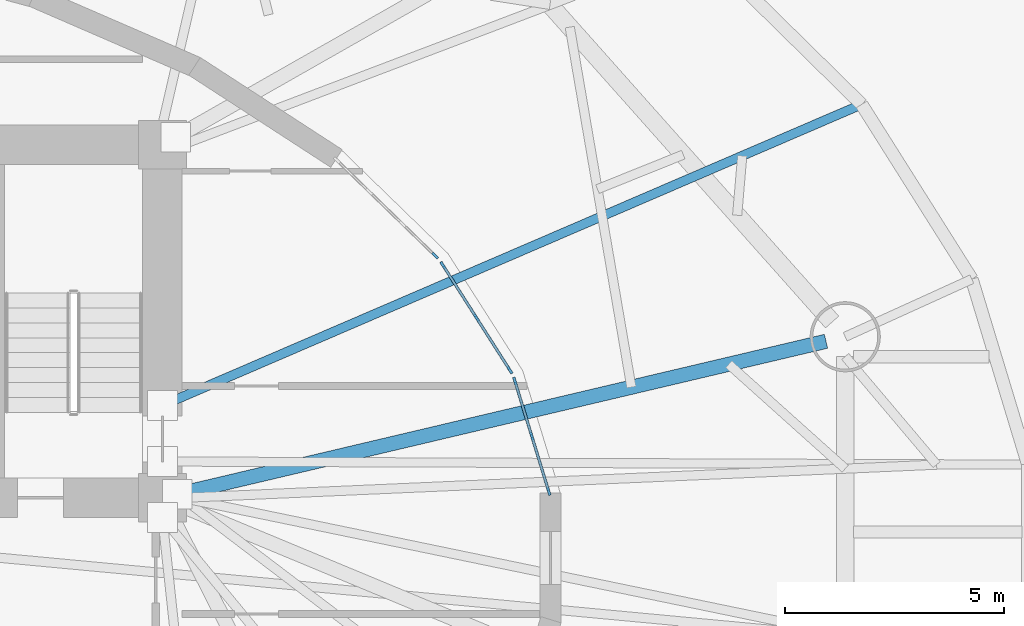
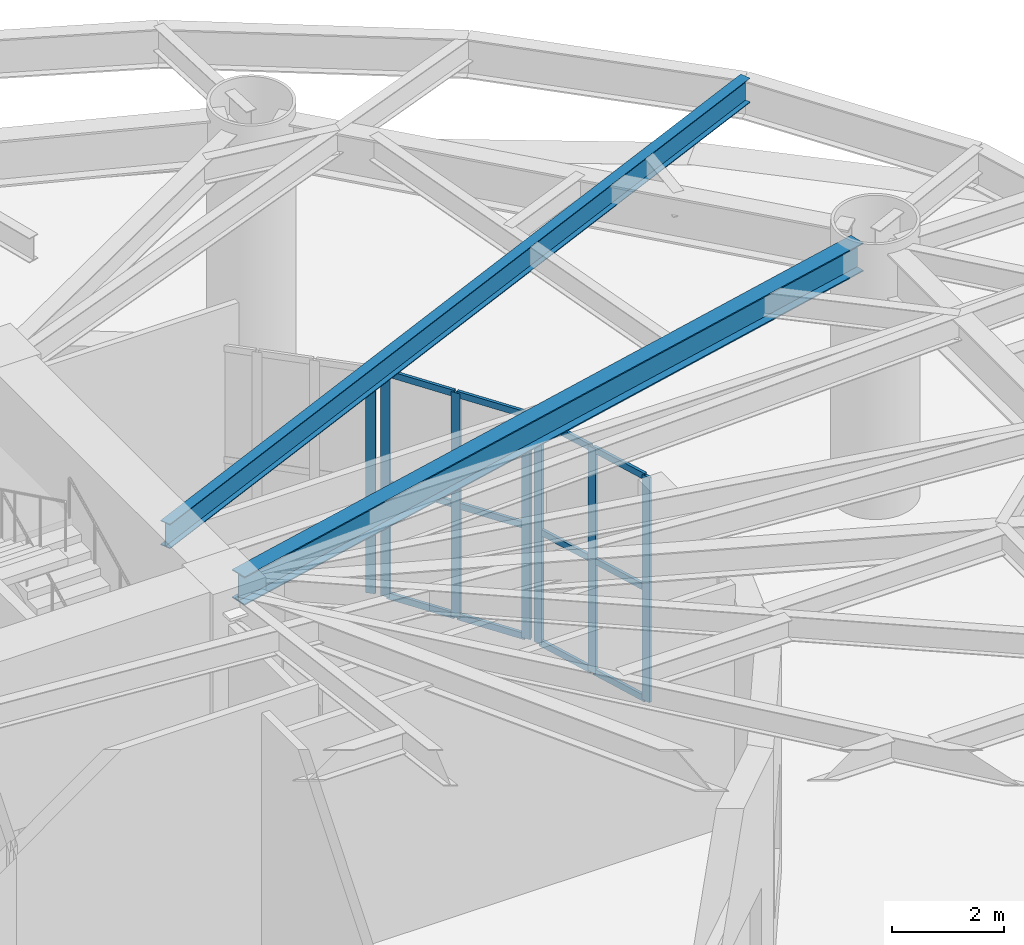
# One storey, part 7 of 21: 19 members, 2 beams, 3 elements without a shape of their own.
"""IFC4 building model written with IfcOpenShell, lengths in metres."""

import ifcopenshell
import ifcopenshell.guid

model = None  # the IFC model being written
_history = None  # IfcOwnerHistory: only IFC2X3 demands one
_inside = {}  # id of a spatial element -> (the spatial element, [elements in it])
_under = {}  # id of a project, library or spatial element -> (it, [spatial elements below it])
_declared = {}  # id of a project -> (the project, [libraries it declares])
_typed = {}  # id of a type object -> (the type object, [elements of that type])
_made_of = {}  # id of a material, layer set ... -> (it, [elements and type objects made of it])


def new_model(schema):
    """Start an empty IFC model of exactly this schema.

    Asked for "IFC4X3", IfcOpenShell would pick the latest addendum, in which some entities
    have other attributes; the version numbers below select the first issue.
    IFC2X3 requires an IfcOwnerHistory on every rooted entity: one is made here for all.
    """
    global model, _history
    if schema == "IFC4X3":
        model = ifcopenshell.file(schema_version=(4, 3, 0, 0))
    else:
        model = ifcopenshell.file(schema=schema)
    _inside.clear()
    _under.clear()
    _declared.clear()
    _typed.clear()
    _made_of.clear()
    _history = None
    if model.schema == "IFC2X3":
        org = make("IfcOrganization", Name="unknown")
        user = make(
            "IfcPersonAndOrganization",
            ThePerson=make("IfcPerson", FamilyName="unknown"),
            TheOrganization=org,
        )
        app = make(
            "IfcApplication",
            ApplicationDeveloper=org,
            Version="unknown",
            ApplicationFullName="unknown",
            ApplicationIdentifier="unknown",
        )
        _history = make(
            "IfcOwnerHistory",
            OwningUser=user,
            OwningApplication=app,
            ChangeAction="ADDED",
            CreationDate=0,
        )
    return model


def make(cls, **values):
    """One entity of the class cls with the attributes given. An attribute that is None is left unset."""
    return model.create_entity(
        cls, **{name: value for name, value in values.items() if value is not None}
    )


def rooted(cls, **values):
    """An entity with a GlobalId (a new one), such as an element, a storey or a relation."""
    return make(cls, GlobalId=ifcopenshell.guid.new(), OwnerHistory=_history, **values)


def si_unit(unit_type, name, prefix=None):
    """IfcSIUnit, for example si_unit("LENGTHUNIT", "METRE", prefix="MILLI")."""
    return make("IfcSIUnit", UnitType=unit_type, Prefix=prefix, Name=name)


def assignment(units):
    """IfcUnitAssignment: the units of a project."""
    return None if units is None else make("IfcUnitAssignment", Units=units)


def point(xyz):
    """IfcCartesianPoint."""
    return None if xyz is None else make("IfcCartesianPoint", Coordinates=xyz)


def direction(xyz):
    """IfcDirection."""
    return None if xyz is None else make("IfcDirection", DirectionRatios=xyz)


def frame(location, z_axis=None, x_axis=None):
    """IfcAxis2Placement3D, a coordinate frame: its origin and axes. An axis left out is left unset."""
    return make(
        "IfcAxis2Placement3D",
        Location=point(location),
        Axis=direction(z_axis),
        RefDirection=direction(x_axis),
    )


def frame_2d(location, x_axis=None):
    """IfcAxis2Placement2D, a coordinate frame in the plane: its origin and x axis."""
    return make(
        "IfcAxis2Placement2D", Location=point(location), RefDirection=direction(x_axis)
    )


def origin():
    """The frame at (0, 0, 0) with its axes left unset."""
    return frame((0.0, 0.0, 0.0))


def origin_2d():
    """The frame at (0, 0) in the plane with its x axis left unset."""
    return frame_2d((0.0, 0.0))


def place(relative_to, where):
    """IfcLocalPlacement: puts the frame where relative to a parent placement (None: the world)."""
    return make(
        "IfcLocalPlacement", PlacementRelTo=relative_to, RelativePlacement=where
    )


def context(
    kind, dimensions, precision=None, world=None, true_north=None, identifier=None
):
    """IfcGeometricRepresentationContext, for example the 3D "Model" context."""
    return make(
        "IfcGeometricRepresentationContext",
        ContextIdentifier=identifier,
        ContextType=kind,
        CoordinateSpaceDimension=dimensions,
        Precision=precision,
        WorldCoordinateSystem=world,
        TrueNorth=true_north,
    )


def subcontext(parent, identifier, kind, view, scale=None):
    """IfcGeometricRepresentationSubContext, for example "Body" below "Model"."""
    return make(
        "IfcGeometricRepresentationSubContext",
        ContextIdentifier=identifier,
        ContextType=kind,
        ParentContext=parent,
        TargetScale=scale,
        TargetView=view,
    )


def project(units=None, contexts=None):
    """IfcProject with its units and contexts."""
    return rooted(
        "IfcProject",
        Name="project",
        RepresentationContexts=contexts,
        UnitsInContext=assignment(units),
    )


def spatial(cls, under=None, at=None, **own):
    """A site, building, storey or space (cls), placed at a placement, below another one or the project."""
    s = rooted(cls, ObjectPlacement=at, **own)
    if under is not None:
        _under.setdefault(under.id(), (under, []))[1].append(s)
    return s


def profile(cls, at=None, kind="AREA", **sizes):
    """A parametric profile (cls). Its sizes go by their IFC names, for example OverallWidth=200.0."""
    return make(cls, ProfileType=kind, Position=at, **sizes)


def rectangle(**sizes):
    """IfcRectangleProfileDef."""
    return profile("IfcRectangleProfileDef", **sizes)


def i_section(**sizes):
    """IfcIShapeProfileDef."""
    return profile("IfcIShapeProfileDef", **sizes)


def extrude(swept, where, along, depth):
    """IfcExtrudedAreaSolid: the profile swept, set in the frame where, extruded along a direction by depth."""
    return make(
        "IfcExtrudedAreaSolid",
        SweptArea=swept,
        Position=where,
        ExtrudedDirection=direction(along),
        Depth=depth,
    )


def shape(context_of_items, identifier, shape_type, items):
    """IfcShapeRepresentation: the items that make up one representation, for example the "Body"."""
    return make(
        "IfcShapeRepresentation",
        ContextOfItems=context_of_items,
        RepresentationIdentifier=identifier,
        RepresentationType=shape_type,
        Items=items,
    )


def material(Name=None, Category=None):
    """IfcMaterial."""
    return make("IfcMaterial", Name=Name, Category=Category)


def layer(
    of_material, thickness, ventilated=None, Name=None, Category=None, Priority=None
):
    """IfcMaterialLayer: one layer of a wall or slab, of a material (None: an air gap)."""
    return make(
        "IfcMaterialLayer",
        Material=of_material,
        LayerThickness=thickness,
        IsVentilated=ventilated,
        Name=Name,
        Category=Category,
        Priority=Priority,
    )


def layer_set(layers, Name=None):
    """IfcMaterialLayerSet."""
    return make("IfcMaterialLayerSet", MaterialLayers=layers, LayerSetName=Name)


def material_profile(
    of_material, cross_section, Name=None, Category=None, Priority=None
):
    """IfcMaterialProfile: a cross section and its material."""
    return make(
        "IfcMaterialProfile",
        Name=Name,
        Material=of_material,
        Profile=cross_section,
        Priority=Priority,
        Category=Category,
    )


def profile_set(profiles, Name=None, composite=None):
    """IfcMaterialProfileSet."""
    return make(
        "IfcMaterialProfileSet",
        Name=Name,
        MaterialProfiles=profiles,
        CompositeProfile=composite,
    )


def made_of(thing, what):
    """Note that an element or type object is made of a material, layer set ...; save() writes the relation."""
    if what is not None:
        _made_of.setdefault(what.id(), (what, []))[1].append(thing)
    return thing


def type_object(cls, material=None, **own):
    """A type object (cls), such as IfcWallType, which elements share."""
    return made_of(rooted(cls, **own), material)


def element(
    cls,
    number,
    at=None,
    inside=None,
    cuts=None,
    type_object=None,
    material=None,
    context=None,
    identifier="Body",
    shape_type=None,
    held_by="IfcProductDefinitionShape",
    body=None,
    shapes=None,
    **own,
):
    """One element of the class cls, such as IfcWall. Its Tag is "e" and its number.

    at: its placement. inside: the storey or other place that contains it. cuts: it is an
    opening in that element (IfcRelVoidsElement). A single representation is given by context,
    identifier, shape_type and body (its items); several are given by shapes. held_by: the class
    of the entity that holds the representations. save() writes the other relations.
    """
    e = rooted(cls, Tag="e%d" % number, ObjectPlacement=at, **own)
    if body is not None:
        shapes = [shape(context, identifier, shape_type, body)]
    if shapes is not None:
        e.Representation = make(held_by, Representations=shapes)
    if inside is not None:
        _inside.setdefault(inside.id(), (inside, []))[1].append(e)
    if cuts is not None:
        rooted(
            "IfcRelVoidsElement", RelatingBuildingElement=cuts, RelatedOpeningElement=e
        )
    if type_object is not None:
        _typed.setdefault(type_object.id(), (type_object, []))[1].append(e)
    return made_of(e, material)


def aggregate(whole, parts):
    """IfcRelAggregates: a whole, such as a stair, and the parts it consists of."""
    return rooted("IfcRelAggregates", RelatingObject=whole, RelatedObjects=parts)


def save(model, path):
    """Write the relations noted so far, then the file.

    IfcRelAggregates (storeys below a building ...), IfcRelContainedInSpatialStructure (elements
    in a storey), IfcRelDefinesByType, IfcRelAssociatesMaterial and IfcRelDeclares: one each for
    every whole, place, type object, material and project.
    """
    for whole, parts in _under.values():
        aggregate(whole, parts)
    for where, things in _inside.values():
        rooted(
            "IfcRelContainedInSpatialStructure",
            RelatedElements=things,
            RelatingStructure=where,
        )
    for kind, things in _typed.values():
        rooted("IfcRelDefinesByType", RelatedObjects=things, RelatingType=kind)
    for what, things in _made_of.values():
        rooted("IfcRelAssociatesMaterial", RelatedObjects=things, RelatingMaterial=what)
    for by, libraries in _declared.values():
        rooted("IfcRelDeclares", RelatingContext=by, RelatedDefinitions=libraries)
    model.write(path)


model = new_model("IFC4")

# Units and contexts
model_context = context("Model", 3, precision=1e-05, world=origin(), true_north=direction((0.0, 1.0)))
body_context = subcontext(model_context, "Body", "Model", "MODEL_VIEW")
ifc_project = project(units=[si_unit("LENGTHUNIT", "METRE"), si_unit("AREAUNIT", "SQUARE_METRE"), si_unit("VOLUMEUNIT", "CUBIC_METRE"), si_unit("PLANEANGLEUNIT", "RADIAN"), si_unit("MASSUNIT", "GRAM", prefix="KILO")], contexts=[model_context])

# Site, building, storey
site_placement = place(None, origin())
site = spatial("IfcSite", under=ifc_project, at=site_placement, CompositionType="ELEMENT")
building_placement = place(site_placement, origin())
building = spatial("IfcBuilding", under=site, at=building_placement, Name="Keldmark Tower", CompositionType="ELEMENT")
storey_placement = place(building_placement, origin())
storey = spatial("IfcBuildingStorey", under=building, at=storey_placement, Name="L00", CompositionType="ELEMENT", Elevation=0.0)

# Curtain wall, members
ifc_material_1 = material(Name="Unitized Thermally Broken Aluminum and Triple Low-E Glazing", Category="aluminium")
ifc_layer = layer(ifc_material_1, 0.219970703125)
ifc_layer_set = layer_set([ifc_layer], Name="Unitized Thermally Broken Aluminum and Triple Low-E Glazing")
curtain_wall_type = type_object("IfcCurtainWallType", Name="Skyway Entry Glazed Curtain Wall System", PredefinedType="NOTDEFINED", material=ifc_layer_set)
curtain_wall_1_placement = place(storey_placement, origin())
curtain_wall_1 = element("IfcCurtainWall", 1, at=curtain_wall_1_placement, inside=storey, type_object=curtain_wall_type, Name="L00 Skyway Entry Glazed Curtain Wall System CW-L00-01", PredefinedType="NOTDEFINED")
ifc_material_2 = material(Name="Extruded Aluminum Alloy 6063-T6", Category="aluminium")
ifc_material_profile_1 = material_profile(ifc_material_2, rectangle(XDim=0.06005859375, YDim=0.139892578125, at=origin_2d()), Name="CWT60X140")
ifc_profile_set_1 = profile_set([ifc_material_profile_1], Name="Extruded Aluminum Alloy 6063-T6")
member_type_1 = type_object("IfcMemberType", Name="Curtain Wall Horizontal Transom 60x140", PredefinedType="USERDEFINED", material=ifc_profile_set_1)
member_1_placement = place(storey_placement, frame((22.402099609375, 1.57177734375, 0.030029296875), z_axis=(-0.293076415101, 0.956089020391, 0.0), x_axis=(-0.956089020391, -0.293076415101, 0.0)))
member_1 = element("IfcMember", 2, at=member_1_placement, type_object=member_type_1, Name="CW transom 1.1", ObjectType="TRANSOM", PredefinedType="USERDEFINED", context=body_context, shape_type="SweptSolid", body=[
    extrude(rectangle(XDim=0.06005859375, YDim=0.139892578125, at=origin_2d()), origin(), (0.0, 0.0, 1.0), 1.2578125),
])
member_2_placement = place(storey_placement, frame((22.402099609375, 1.57177734375, 2.45458984375), z_axis=(-0.293076415101, 0.956089020391, 0.0), x_axis=(-0.956089020391, -0.293076415101, 0.0)))
member_2 = element("IfcMember", 3, at=member_2_placement, type_object=member_type_1, Name="CW transom 1.2", ObjectType="TRANSOM", PredefinedType="USERDEFINED", context=body_context, shape_type="SweptSolid", body=[
    extrude(rectangle(XDim=0.06005859375, YDim=0.139892578125, at=origin_2d()), origin(), (0.0, 0.0, 1.0), 1.2578125),
])
member_3_placement = place(storey_placement, frame((22.402099609375, 1.57177734375, 4.87890625), z_axis=(-0.293076415101, 0.956089020391, 0.0), x_axis=(-0.956089020391, -0.293076415101, 0.0)))
member_3 = element("IfcMember", 4, at=member_3_placement, type_object=member_type_1, Name="CW transom 1.3", ObjectType="TRANSOM", PredefinedType="USERDEFINED", context=body_context, shape_type="SweptSolid", body=[
    extrude(rectangle(XDim=0.06005859375, YDim=0.139892578125, at=origin_2d()), origin(), (0.0, 0.0, 1.0), 1.2578125),
])
member_4_placement = place(storey_placement, frame((22.015869140625, 2.831787109375, 0.030029296875), z_axis=(-0.293022039218, 0.956105686905, 0.0), x_axis=(-0.956105686905, -0.293022039218, 0.0)))
member_4 = element("IfcMember", 5, at=member_4_placement, type_object=member_type_1, Name="CW transom 2.1", ObjectType="TRANSOM", PredefinedType="USERDEFINED", context=body_context, shape_type="SweptSolid", body=[
    extrude(rectangle(XDim=0.06005859375, YDim=0.139892578125, at=origin_2d()), origin(), (0.0, 0.0, 1.0), 1.258056640625),
])
member_5_placement = place(storey_placement, frame((22.015869140625, 2.831787109375, 2.45458984375), z_axis=(-0.293022039218, 0.956105686905, 0.0), x_axis=(-0.956105686905, -0.293022039218, 0.0)))
member_5 = element("IfcMember", 6, at=member_5_placement, type_object=member_type_1, Name="CW transom 2.2", ObjectType="TRANSOM", PredefinedType="USERDEFINED", context=body_context, shape_type="SweptSolid", body=[
    extrude(rectangle(XDim=0.06005859375, YDim=0.139892578125, at=origin_2d()), origin(), (0.0, 0.0, 1.0), 1.258056640625),
])
member_6_placement = place(storey_placement, frame((22.015869140625, 2.831787109375, 4.87890625), z_axis=(-0.293022039218, 0.956105686905, 0.0), x_axis=(-0.956105686905, -0.293022039218, 0.0)))
member_6 = element("IfcMember", 7, at=member_6_placement, type_object=member_type_1, Name="CW transom 2.3", ObjectType="TRANSOM", PredefinedType="USERDEFINED", context=body_context, shape_type="SweptSolid", body=[
    extrude(rectangle(XDim=0.06005859375, YDim=0.139892578125, at=origin_2d()), origin(), (0.0, 0.0, 1.0), 1.258056640625),
])

curtain_wall_2_placement = place(storey_placement, origin())
curtain_wall_2 = element("IfcCurtainWall", 8, at=curtain_wall_2_placement, inside=storey, type_object=curtain_wall_type, Name="L00 Skyway Entry Glazed Curtain Wall System CW-L00-02", PredefinedType="NOTDEFINED")
member_7_placement = place(storey_placement, frame((21.50830078125, 4.335693359375, 0.030029296875), z_axis=(-0.537850893391, 0.843039985101, 0.0), x_axis=(-0.843039985101, -0.537850893391, 0.0)))
member_7 = element("IfcMember", 9, at=member_7_placement, type_object=member_type_1, Name="CW transom 1.1", ObjectType="TRANSOM", PredefinedType="USERDEFINED", context=body_context, shape_type="SweptSolid", body=[
    extrude(rectangle(XDim=0.06005859375, YDim=0.139892578125, at=origin_2d()), origin(), (0.0, 0.0, 1.0), 1.35986328125),
])
member_8_placement = place(storey_placement, frame((21.50830078125, 4.335693359375, 2.45458984375), z_axis=(-0.537850893391, 0.843039985101, 0.0), x_axis=(-0.843039985101, -0.537850893391, 0.0)))
member_8 = element("IfcMember", 10, at=member_8_placement, type_object=member_type_1, Name="CW transom 1.2", ObjectType="TRANSOM", PredefinedType="USERDEFINED", context=body_context, shape_type="SweptSolid", body=[
    extrude(rectangle(XDim=0.06005859375, YDim=0.139892578125, at=origin_2d()), origin(), (0.0, 0.0, 1.0), 1.35986328125),
])
member_9_placement = place(storey_placement, frame((21.50830078125, 4.335693359375, 4.87890625), z_axis=(-0.537850893391, 0.843039985101, 0.0), x_axis=(-0.843039985101, -0.537850893391, 0.0)))
member_9 = element("IfcMember", 11, at=member_9_placement, type_object=member_type_1, Name="CW transom 1.3", ObjectType="TRANSOM", PredefinedType="USERDEFINED", context=body_context, shape_type="SweptSolid", body=[
    extrude(rectangle(XDim=0.06005859375, YDim=0.139892578125, at=origin_2d()), origin(), (0.0, 0.0, 1.0), 1.35986328125),
])
member_10_placement = place(storey_placement, frame((20.74462890625, 5.53271484375, 0.030029296875), z_axis=(-0.537932304281, 0.842988040254, 0.0), x_axis=(-0.842988040254, -0.537932304281, 0.0)))
member_10 = element("IfcMember", 12, at=member_10_placement, type_object=member_type_1, Name="CW transom 2.1", ObjectType="TRANSOM", PredefinedType="USERDEFINED", context=body_context, shape_type="SweptSolid", body=[
    extrude(rectangle(XDim=0.06005859375, YDim=0.139892578125, at=origin_2d()), origin(), (0.0, 0.0, 1.0), 1.359619140625),
])
member_11_placement = place(storey_placement, frame((20.74462890625, 5.53271484375, 2.45458984375), z_axis=(-0.537932304281, 0.842988040254, 0.0), x_axis=(-0.842988040254, -0.537932304281, 0.0)))
member_11 = element("IfcMember", 13, at=member_11_placement, type_object=member_type_1, Name="CW transom 2.2", ObjectType="TRANSOM", PredefinedType="USERDEFINED", context=body_context, shape_type="SweptSolid", body=[
    extrude(rectangle(XDim=0.06005859375, YDim=0.139892578125, at=origin_2d()), origin(), (0.0, 0.0, 1.0), 1.359619140625),
])
member_12_placement = place(storey_placement, frame((20.74462890625, 5.53271484375, 4.87890625), z_axis=(-0.537932304281, 0.842988040254, 0.0), x_axis=(-0.842988040254, -0.537932304281, 0.0)))
member_12 = element("IfcMember", 14, at=member_12_placement, type_object=member_type_1, Name="CW transom 2.3", ObjectType="TRANSOM", PredefinedType="USERDEFINED", context=body_context, shape_type="SweptSolid", body=[
    extrude(rectangle(XDim=0.06005859375, YDim=0.139892578125, at=origin_2d()), origin(), (0.0, 0.0, 1.0), 1.359619140625),
])

# Member
ifc_material_3 = material(Name="Extruded Aluminum Alloy 6063-T6", Category="aluminium")
ifc_material_profile_2 = material_profile(ifc_material_3, rectangle(XDim=0.06005859375, YDim=0.179931640625, at=origin_2d()), Name="CWM60X180")
ifc_profile_set_2 = profile_set([ifc_material_profile_2], Name="Extruded Aluminum Alloy 6063-T6")
member_type_2 = type_object("IfcMemberType", Name="Curtain Wall Structural Mullion 60x180", PredefinedType="MULLION", material=ifc_profile_set_2)
member_13_placement = place(storey_placement, frame((22.410888671875, 1.54296875, 0.0), z_axis=(0.0, 0.0, 1.0), x_axis=(-0.956105623633, -0.293022245671, 0.0)))
member_13 = element("IfcMember", 15, at=member_13_placement, type_object=member_type_2, Name="CW mullion 1", PredefinedType="MULLION", context=body_context, shape_type="SweptSolid", body=[
    extrude(rectangle(XDim=0.06005859375, YDim=0.179931640625, at=origin_2d()), origin(), (0.0, 0.0, 1.0), 4.908935546875),
])

member_14_placement = place(storey_placement, frame((22.024658203125, 2.80322265625, 0.0), z_axis=(0.0, 0.0, 1.0), x_axis=(-0.956105623633, -0.293022245671, 0.0)))
member_14 = element("IfcMember", 16, at=member_14_placement, type_object=member_type_2, Name="CW mullion 2", PredefinedType="MULLION", context=body_context, shape_type="SweptSolid", body=[
    extrude(rectangle(XDim=0.06005859375, YDim=0.179931640625, at=origin_2d()), origin(), (0.0, 0.0, 1.0), 4.908935546875),
])

member_15_placement = place(storey_placement, frame((21.638427734375, 4.063232421875, 0.0), z_axis=(0.0, 0.0, 1.0), x_axis=(-0.956105623633, -0.293022245671, 0.0)))
member_15 = element("IfcMember", 17, at=member_15_placement, type_object=member_type_2, Name="CW mullion 3", PredefinedType="MULLION", context=body_context, shape_type="SweptSolid", body=[
    extrude(rectangle(XDim=0.06005859375, YDim=0.179931640625, at=origin_2d()), origin(), (0.0, 0.0, 1.0), 4.908935546875),
])

aggregate(curtain_wall_1, [member_13, member_14, member_15, member_1, member_2, member_3, member_4, member_5, member_6])

member_16_placement = place(storey_placement, frame((21.5244140625, 4.310302734375, 0.0), z_axis=(0.0, 0.0, 1.0), x_axis=(-0.843003395042, -0.537908241198, 0.0)))
member_16 = element("IfcMember", 18, at=member_16_placement, type_object=member_type_2, Name="CW mullion 1", PredefinedType="MULLION", context=body_context, shape_type="SweptSolid", body=[
    extrude(rectangle(XDim=0.06005859375, YDim=0.179931640625, at=origin_2d()), origin(), (0.0, 0.0, 1.0), 4.908935546875),
])

member_17_placement = place(storey_placement, frame((20.7607421875, 5.50732421875, 0.0), z_axis=(0.0, 0.0, 1.0), x_axis=(-0.843003395042, -0.537908241198, 0.0)))
member_17 = element("IfcMember", 19, at=member_17_placement, type_object=member_type_2, Name="CW mullion 2", PredefinedType="MULLION", context=body_context, shape_type="SweptSolid", body=[
    extrude(rectangle(XDim=0.06005859375, YDim=0.179931640625, at=origin_2d()), origin(), (0.0, 0.0, 1.0), 4.908935546875),
])

member_18_placement = place(storey_placement, frame((19.996826171875, 6.704345703125, 0.0), z_axis=(0.0, 0.0, 1.0), x_axis=(-0.843003395042, -0.537908241198, 0.0)))
member_18 = element("IfcMember", 20, at=member_18_placement, type_object=member_type_2, Name="CW mullion 3", PredefinedType="MULLION", context=body_context, shape_type="SweptSolid", body=[
    extrude(rectangle(XDim=0.06005859375, YDim=0.179931640625, at=origin_2d()), origin(), (0.0, 0.0, 1.0), 4.908935546875),
])

aggregate(curtain_wall_2, [member_16, member_17, member_18, member_7, member_8, member_9, member_10, member_11, member_12])

# Curtain wall, member
curtain_wall_3_placement = place(storey_placement, origin())
curtain_wall_3 = element("IfcCurtainWall", 21, at=curtain_wall_3_placement, inside=storey, type_object=curtain_wall_type, Name="L00 Skyway Entry Glazed Curtain Wall System CW-L00-03", PredefinedType="NOTDEFINED")
member_19_placement = place(storey_placement, frame((19.818603515625, 6.923095703125, 0.0), z_axis=(0.0, 0.0, 1.0), x_axis=(-0.696771363059, -0.717293292608, 0.0)))
member_19 = element("IfcMember", 22, at=member_19_placement, type_object=member_type_2, Name="CW mullion 1", PredefinedType="MULLION", context=body_context, shape_type="SweptSolid", body=[
    extrude(rectangle(XDim=0.06005859375, YDim=0.179931640625, at=origin_2d()), origin(), (0.0, 0.0, 1.0), 4.908935546875),
])
aggregate(curtain_wall_3, [member_19])

# Beams
ifc_material_4 = material(Name="Steel ASTM A992 Grade 50", Category="steel")
ifc_material_profile_3 = material_profile(ifc_material_4, i_section(OverallWidth=0.2099609375, OverallDepth=0.537109375, WebThickness=0.010986328125, FlangeThickness=0.017333984375, at=origin_2d()), Name="W21X68")
ifc_profile_set_3 = profile_set([ifc_material_profile_3], Name="Steel ASTM A992 Grade 50")
beam_type_1 = type_object("IfcBeamType", Name="Radial Tie Girder W21X68", PredefinedType="BEAM", material=ifc_profile_set_3)
beam_1_placement = place(storey_placement, frame((13.60009765625, 3.507080078125, 5.511474609375), z_axis=(0.918513139494, 0.395390455849, 0.0), x_axis=(-0.395390455849, 0.918513139494, 0.0)))
element("IfcBeam", 23, at=beam_1_placement, inside=storey, type_object=beam_type_1, Name="L00 Perimeter Radial Tie Girder RT-03", PredefinedType="BEAM", context=body_context, shape_type="SweptSolid", body=[
    extrude(i_section(OverallWidth=0.2099609375, OverallDepth=0.537109375, WebThickness=0.010986328125, FlangeThickness=0.017333984375, at=origin_2d()), origin(), (0.0, 0.0, 1.0), 17.35888671875),
])
ifc_material_5 = material(Name="Steel ASTM A992 Grade 50", Category="steel")
ifc_material_profile_4 = material_profile(ifc_material_5, i_section(OverallWidth=0.326904296875, OverallDepth=0.6220703125, WebThickness=0.015380859375, FlangeThickness=0.0244140625, at=origin_2d()), Name="W24X131")
ifc_profile_set_4 = profile_set([ifc_material_profile_4], Name="Steel ASTM A992 Grade 50")
beam_type_2 = type_object("IfcBeamType", Name="Spandrel Ring Beam W24X131", PredefinedType="SPANDREL", material=ifc_profile_set_4)
beam_2_placement = place(storey_placement, frame((28.73291015625, 4.969482421875, 5.468994140625), z_axis=(-0.973292516513, -0.229568458854, 0.0), x_axis=(0.229568458854, -0.973292516513, 0.0)))
element("IfcBeam", 24, at=beam_2_placement, inside=storey, type_object=beam_type_2, Name="L00 Podium Radial Girder PG-C01", PredefinedType="SPANDREL", context=body_context, shape_type="SweptSolid", body=[
    extrude(i_section(OverallWidth=0.326904296875, OverallDepth=0.6220703125, WebThickness=0.015380859375, FlangeThickness=0.0244140625, at=origin_2d()), origin(), (0.0, 0.0, 1.0), 15.1982421875),
])

save(model, "model.ifc")
